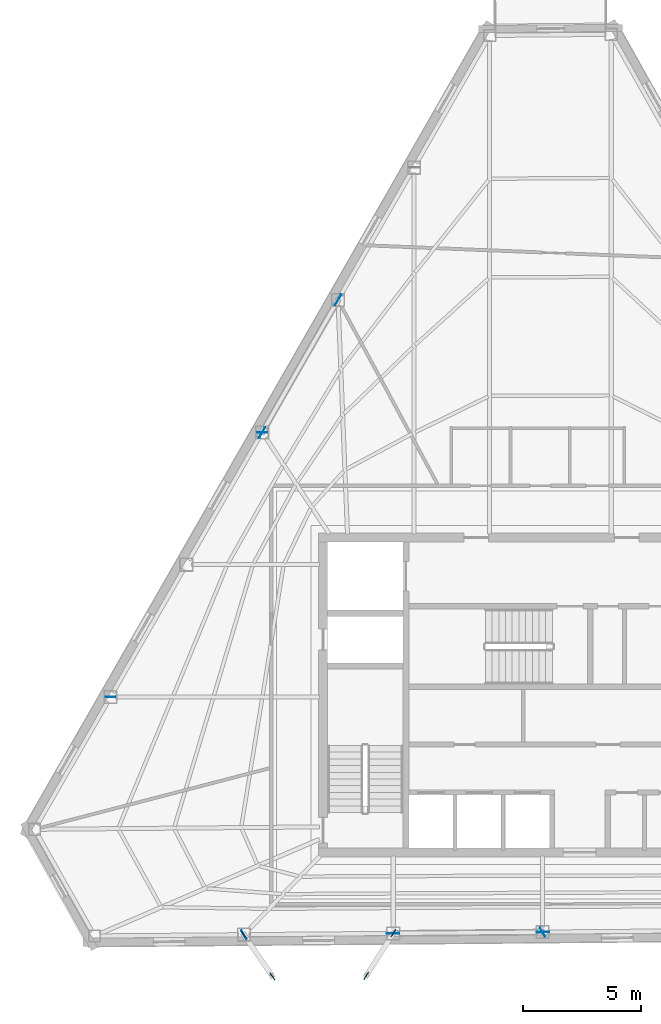
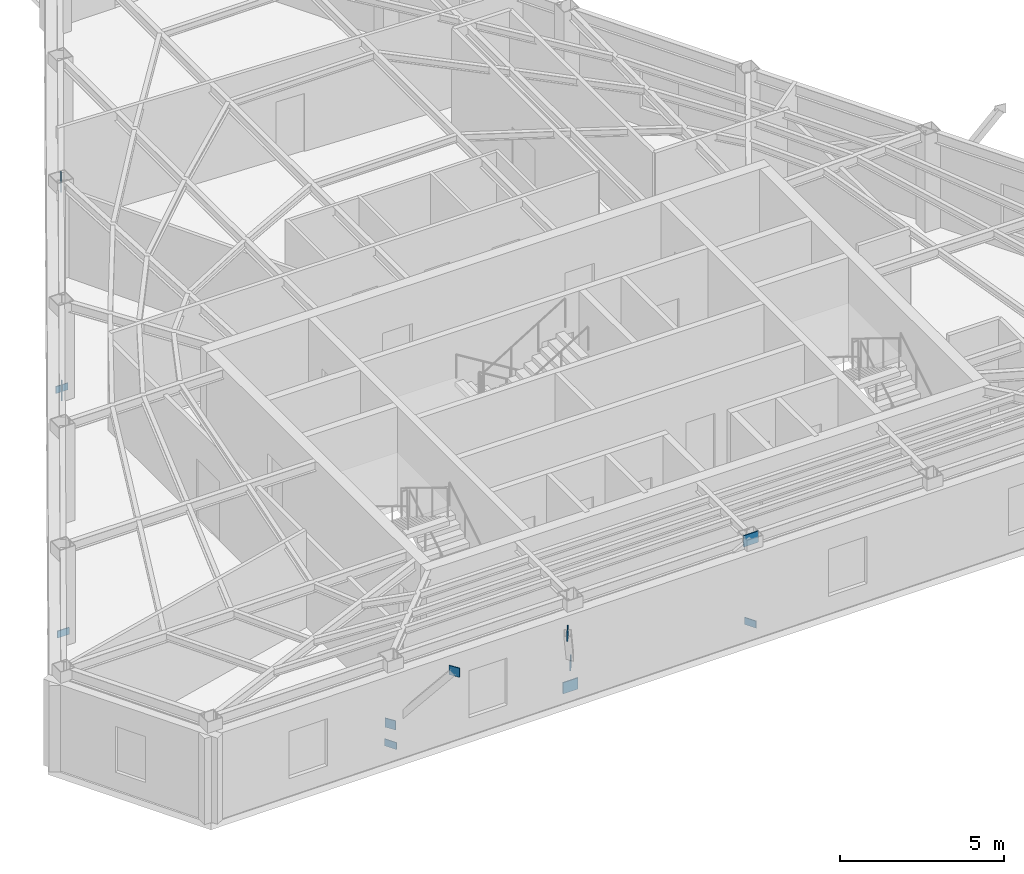
# One storey, part 4 of 11: 12 plates.
"""IFC4 building model written with IfcOpenShell, lengths in metres."""

from ifc_helpers import new_model, si_unit, direction, frame, origin, origin_2d, place, context, subcontext, project, spatial, rectangle, extrude, material, layer, layer_set, type_object, element, save


model = new_model("IFC4")

# Units and contexts
model_context = context("Model", 3, precision=1e-05, world=origin(), true_north=direction((0.0, 1.0)))
body_context = subcontext(model_context, "Body", "Model", "MODEL_VIEW")
ifc_project = project(units=[si_unit("LENGTHUNIT", "METRE"), si_unit("AREAUNIT", "SQUARE_METRE"), si_unit("VOLUMEUNIT", "CUBIC_METRE"), si_unit("PLANEANGLEUNIT", "RADIAN"), si_unit("MASSUNIT", "GRAM", prefix="KILO")], contexts=[model_context])

# Site, building, storey
site_placement = place(None, origin())
site = spatial("IfcSite", under=ifc_project, at=site_placement, CompositionType="ELEMENT")
building_placement = place(site_placement, origin())
building = spatial("IfcBuilding", under=site, at=building_placement, Name="Kavelnor Concourse Tower", CompositionType="ELEMENT")
storey_placement = place(building_placement, frame((0.0, 0.0, 297.25)))
storey = spatial("IfcBuildingStorey", under=building, at=storey_placement, Name="L75", CompositionType="ELEMENT", Elevation=297.25)

# Plates
ifc_material = material(Name="Steel Grade 350", Category="steel")
ifc_layer_1 = layer(ifc_material, 0.028076171875, Name="Steel Grade 350")
ifc_layer_set_1 = layer_set([ifc_layer_1], Name="Steel Grade 350")
plate_type_1 = type_object("IfcPlateType", Name="PL-GUSSET-FOLD", PredefinedType="USERDEFINED", material=ifc_layer_set_1)
for number, where, z_axis, x_axis, name in (
    (1, (24.920166015625, 5.91845703125, 0.8798828125), (0.0, 0.0, 1.0), (0.565686835572, -0.824620157442, 0.0), "L75 Balcony Strut Gusset GP4 1-A End Gusset A"),
    (2, (26.140380859375, 4.139892578125, 3.48486328125), (0.0, 0.0, 1.0), (0.565686835572, -0.824620157442, 0.0), "L75 Balcony Strut Gusset GP4 1-A End Gusset B"),
    (3, (31.28125, 5.973876953125, 0.8798828125), (0.0, 0.0, 1.0), (-0.536563405971, -0.843860006976, 0.0), "L75 Balcony Strut Gusset GP4 1-B End Gusset A"),
    (4, (30.127197265625, 4.15869140625, 3.48486328125), (0.0, 0.0, 1.0), (-0.536563405971, -0.843860006976, 0.0), "L75 Balcony Strut Gusset GP4 1-B End Gusset B"),
):
    element("IfcPlate", number, at=place(storey_placement, frame(where, z_axis=z_axis, x_axis=x_axis)), inside=storey, type_object=plate_type_1, Name=name, ObjectType="GUSSET_PLATE", PredefinedType="USERDEFINED", context=body_context, shape_type="SweptSolid", body=[
        extrude(rectangle(XDim=0.360107421875, YDim=0.028076171875, at=origin_2d()), origin(), (0.0, 0.0, 1.0), 0.340087890625),
    ])
ifc_layer_2 = layer(ifc_material, 0.031982421875, Name="Steel Grade 350")
ifc_layer_set_2 = layer_set([ifc_layer_2], Name="Steel Grade 350")
plate_type_2 = type_object("IfcPlateType", Name="PL-GUSSET-TUBE-Z1", PredefinedType="USERDEFINED", material=ifc_layer_set_2)
for number, where, z_axis, x_axis, name in (
    (5, (25.697509765625, 27.248291015625, 0.010009765625), (0.0, 0.0, 1.0), (0.49727683803, 0.867591923867, 0.0), "L75 Tube Brace Gusset GP3 F0-B2 End Gusset A"),
    (6, (28.93310546875, 32.89306640625, 3.197021484375), (0.0, 0.0, 1.0), (0.49727683803, 0.867591923867, 0.0), "L75 Tube Brace Gusset GP3 F0-B2 End Gusset B"),
    (7, (31.262939453125, 5.963623046875, 0.010009765625), (0.0, 0.0, 1.0), (0.999961923064, 0.008726535498, 0.0), "L75 Tube Brace Gusset GP3 F1-B2 End Gusset A"),
    (8, (37.634765625, 6.01904296875, 3.197021484375), (0.0, 0.0, 1.0), (0.999961923064, 0.008726535498, 0.0), "L75 Tube Brace Gusset GP3 F1-B2 End Gusset B"),
):
    element("IfcPlate", number, at=place(storey_placement, frame(where, z_axis=z_axis, x_axis=x_axis)), inside=storey, type_object=plate_type_2, Name=name, ObjectType="GUSSET_PLATE", PredefinedType="USERDEFINED", context=body_context, shape_type="SweptSolid", body=[
        extrude(rectangle(XDim=0.52001953125, YDim=0.031982421875, at=origin_2d()), origin(), (0.0, 0.0, 1.0), 0.419921875),
    ])
ifc_layer_3 = layer(ifc_material, 0.02490234375, Name="Steel Grade 350")
ifc_layer_set_3 = layer_set([ifc_layer_3], Name="Steel Grade 350")
plate_type_3 = type_object("IfcPlateType", Name="PL-SPLICE-FLANGE", PredefinedType="SHEET", material=ifc_layer_set_3)
for number, where, z_axis, x_axis, name in (
    (9, (25.70361328125, 27.2587890625, 0.169921875), (0.0, 0.0, 1.0), (1.0, 0.0, 0.0), "L75 Column Flange Splice Plate F0-B3"),
    (10, (19.256103515625, 16.010986328125, 0.169921875), (0.0, 0.0, 1.0), (1.0, 0.0, 0.0), "L75 Column Flange Splice Plate F0-B5"),
    (11, (24.927001953125, 5.90869140625, 0.169921875), (0.0, 0.0, 1.0), (-0.5, 0.866025403784, 0.0), "L75 Column Flange Splice Plate F1-B1"),
    (12, (37.622802734375, 6.01904296875, 0.169921875), (0.0, 0.0, 1.0), (-0.5, 0.866025403784, 0.0), "L75 Column Flange Splice Plate F1-B3"),
):
    element("IfcPlate", number, at=place(storey_placement, frame(where, z_axis=z_axis, x_axis=x_axis)), inside=storey, type_object=plate_type_3, Name=name, PredefinedType="SHEET", context=body_context, shape_type="SweptSolid", body=[
        extrude(rectangle(XDim=0.419921875, YDim=0.02490234375, at=origin_2d()), origin(), (0.0, 0.0, 1.0), 0.260009765625),
    ])

save(model, "model.ifc")
